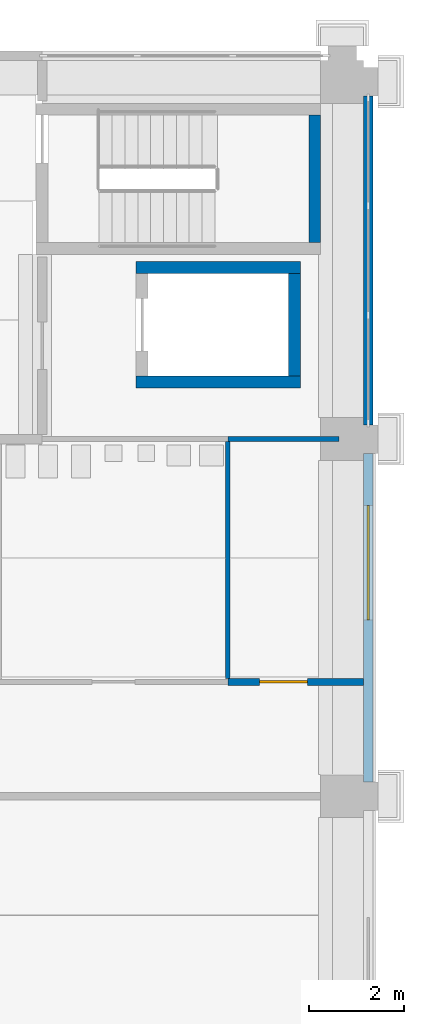
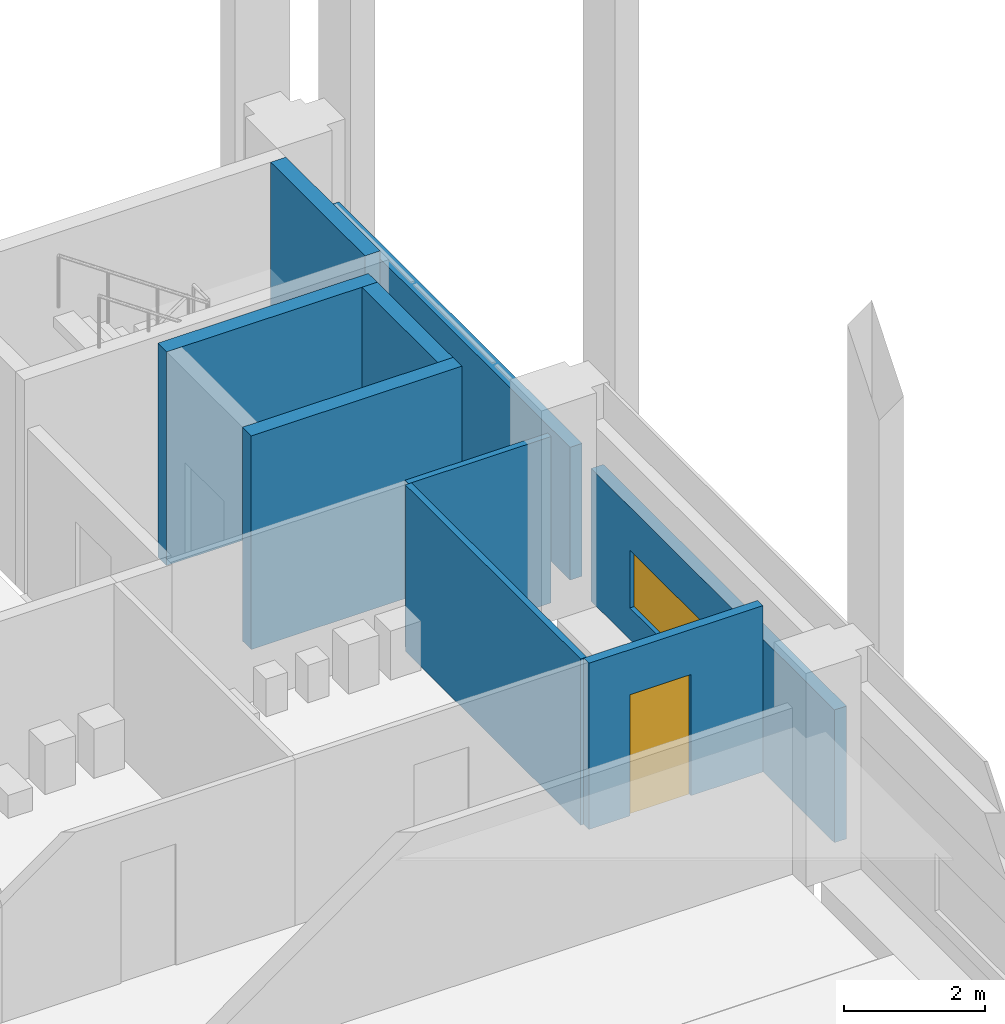
# One storey, part 41 of 67: 9 walls, 1 door, 1 window, 2 openings.
"""IFC4 building model written with IfcOpenShell, lengths in metres."""

from ifc_helpers import new_model, si_unit, direction, frame, frame_2d, origin, place, context, subcontext, project, spatial, rectangle, extrude, material, layer, layer_set, type_object, element, fill, save


model = new_model("IFC4")

# Units and contexts
model_context = context("Model", 3, precision=1e-05, world=origin(), true_north=direction((0.0, 1.0)))
body_context = subcontext(model_context, "Body", "Model", "MODEL_VIEW")
ifc_project = project(units=[si_unit("LENGTHUNIT", "METRE"), si_unit("AREAUNIT", "SQUARE_METRE"), si_unit("VOLUMEUNIT", "CUBIC_METRE"), si_unit("PLANEANGLEUNIT", "RADIAN"), si_unit("MASSUNIT", "GRAM", prefix="KILO")], contexts=[model_context])

# Site, building, storey
site_placement = place(None, origin())
site = spatial("IfcSite", under=ifc_project, at=site_placement, CompositionType="ELEMENT")
building_placement = place(site_placement, origin())
building = spatial("IfcBuilding", under=site, at=building_placement, Name="Cour d'Honneur Mobility Palace", CompositionType="ELEMENT")
storey_placement = place(building_placement, frame((0.0, 0.0, 4.5)))
storey = spatial("IfcBuildingStorey", under=building, at=storey_placement, Name="L01", CompositionType="ELEMENT", Elevation=4.5)

# Walls
ifc_material_1 = material(Name="Concrete C50", Category="concrete")
ifc_layer_1 = layer(ifc_material_1, 0.25)
ifc_layer_set_1 = layer_set([ifc_layer_1], Name="Concrete C50")
wall_type_1 = type_object("IfcWallType", Name="Lift shaft wall 250", PredefinedType="SHEAR", material=ifc_layer_set_1)
for number, where, z_axis, x_axis, name in (
    (1, (157.97509765625, 108.60009765625, 0.0), (0.0, 0.0, 1.0), (1.0, 0.0, 0.0), "Lift shaft wall WL-NE1 L01"),
    (2, (157.97509765625, 111.0, 0.0), (0.0, 0.0, 1.0), (1.0, 0.0, 0.0), "Lift shaft wall WL-NE2 L01"),
):
    element("IfcWall", number, at=place(storey_placement, frame(where, z_axis=z_axis, x_axis=x_axis)), inside=storey, type_object=wall_type_1, Name=name, PredefinedType="SHEAR", context=body_context, shape_type="SweptSolid", body=[
        extrude(rectangle(XDim=3.449951171875, YDim=0.25, at=frame_2d((1.72509765625, 0.0))), origin(), (0.0, 0.0, 1.0), 3.699951171875),
    ])
wall_1_placement = place(storey_placement, frame((161.300048828125, 108.72509765625, 0.0), z_axis=(0.0, 0.0, 1.0), x_axis=(0.0, 1.0, 0.0)))
element("IfcWall", 3, at=wall_1_placement, inside=storey, type_object=wall_type_1, Name="Lift shaft wall WL-NE7 L01", PredefinedType="SHEAR", context=body_context, shape_type="SweptSolid", body=[
    extrude(rectangle(XDim=2.14990234375, YDim=0.25, at=frame_2d((1.074951171875, 0.0))), origin(), (0.0, 0.0, 1.0), 3.699951171875),
])
ifc_material_2 = material(Name="Gypsum plasterboard")
ifc_layer_2 = layer(ifc_material_2, 0.10009765625)
ifc_layer_set_2 = layer_set([ifc_layer_2], Name="Gypsum plasterboard")
wall_type_2 = type_object("IfcWallType", Name="Partition 100", PredefinedType="PARTITIONING", material=ifc_layer_set_2)
wall_2_placement = place(storey_placement, frame((159.89990234375, 107.35009765625, 0.0), z_axis=(0.0, 0.0, 1.0), x_axis=(0.0, -1.0, 0.0)))
element("IfcWall", 4, at=wall_2_placement, inside=storey, type_object=wall_type_2, Name="Partition 082", PredefinedType="PARTITIONING", context=body_context, shape_type="SweptSolid", body=[
    extrude(rectangle(XDim=4.97509765625, YDim=0.10009765625, at=frame_2d((2.487548828125, 0.0))), origin(), (0.0, 0.0, 1.0), 2.8798828125),
])
wall_3_placement = place(storey_placement, frame((162.239990234375, 107.39990234375, 0.0), z_axis=(0.0, 0.0, 1.0), x_axis=(-1.0, 0.0, 0.0)))
element("IfcWall", 5, at=wall_3_placement, inside=storey, type_object=wall_type_2, Name="Partition 084", PredefinedType="PARTITIONING", context=body_context, shape_type="SweptSolid", body=[
    extrude(rectangle(XDim=2.340087890625, YDim=0.10009765625, at=frame_2d((1.169921875, 0.0))), origin(), (0.0, 0.0, 1.0), 2.8798828125),
])

# Wall, opening, door
ifc_material_3 = material(Name="Gypsum plasterboard")
ifc_layer_3 = layer(ifc_material_3, 0.14990234375)
ifc_layer_set_3 = layer_set([ifc_layer_3], Name="Gypsum plasterboard")
wall_type_3 = type_object("IfcWallType", Name="Partition 150 rated EI 60", PredefinedType="PARTITIONING", material=ifc_layer_set_3)
wall_4_placement = place(storey_placement, frame((162.75, 102.300048828125, 0.0), z_axis=(0.0, 0.0, 1.0), x_axis=(-1.0, 0.0, 0.0)))
wall_4 = element("IfcWall", 6, at=wall_4_placement, inside=storey, type_object=wall_type_3, Name="Partition 066", PredefinedType="PARTITIONING", context=body_context, shape_type="SweptSolid", body=[
    extrude(rectangle(XDim=2.85009765625, YDim=0.14990234375, at=frame_2d((1.425048828125, 0.0))), origin(), (0.0, 0.0, 1.0), 2.8798828125),
])
opening_1_placement = place(wall_4_placement, frame((1.179931640625, 0.0, 0.0)))
opening_1 = element("IfcOpeningElement", 7, at=opening_1_placement, cuts=wall_4, Name="Opening D0124", PredefinedType="OPENING", context=body_context, shape_type="SweptSolid", body=[
    extrude(rectangle(XDim=1.0, YDim=2.10009765625, at=frame_2d((0.5, 1.050048828125))), frame((0.0, 0.0849609375, 0.0), z_axis=(0.0, -1.0, 0.0), x_axis=(1.0, 0.0, 0.0)), (0.0, 0.0, 1.0), 0.169921875),
])
ifc_material_4 = material(Name="Galvanised steel", Category="steel")
door_type = type_object("IfcDoorType", Name="Fire door FD60 1000 x 2100", OperationType="SINGLE_SWING_LEFT", PredefinedType="DOOR", material=ifc_material_4)
door_placement = place(opening_1_placement, origin())
door = element("IfcDoor", 8, at=door_placement, inside=storey, type_object=door_type, Name="Door Cleaner's Store East", OperationType="SINGLE_SWING_RIGHT", OverallHeight=2.10009765625, OverallWidth=1.0, PredefinedType="DOOR", context=body_context, shape_type="SweptSolid", body=[
    extrude(rectangle(XDim=1.0, YDim=2.10009765625, at=frame_2d((0.5, 1.050048828125))), frame((0.0, 0.02490234375, 0.0), z_axis=(0.0, -1.0, 0.0), x_axis=(1.0, 0.0, 0.0)), (0.0, 0.0, 1.0), 0.050048828125),
])
fill(opening_1, door)

# Wall, opening, window
ifc_material_5 = material(Name="Concrete C40", Category="concrete")
ifc_layer_4 = layer(ifc_material_5, 0.199951171875)
ifc_layer_set_4 = layer_set([ifc_layer_4], Name="Concrete C40")
wall_type_4 = type_object("IfcWallType", Name="Spandrel panel", PredefinedType="SOLIDWALL", material=ifc_layer_set_4)
wall_5_placement = place(storey_placement, frame((162.85009765625, 100.199951171875, 0.0), z_axis=(0.0, 0.0, 1.0), x_axis=(0.0, 1.0, 0.0)))
wall_5 = element("IfcWall", 9, at=wall_5_placement, inside=storey, type_object=wall_type_4, Name="Spandrel panel SW-38", PredefinedType="SOLIDWALL", context=body_context, shape_type="SweptSolid", body=[
    extrude(rectangle(XDim=6.900146484375, YDim=0.199951171875, at=frame_2d((3.4501953125, 0.0))), origin(), (0.0, 0.0, 1.0), 2.300048828125),
])
opening_2_placement = place(wall_5_placement, frame((3.39990234375, 0.0, 0.550048828125)))
opening_2 = element("IfcOpeningElement", 10, at=opening_2_placement, cuts=wall_5, Name="Opening W2-38", PredefinedType="OPENING", context=body_context, shape_type="SweptSolid", body=[
    extrude(rectangle(XDim=2.39990234375, YDim=1.0, at=frame_2d((1.199951171875, 0.5))), frame((0.0, 0.10986328125, 0.0), z_axis=(0.0, -1.0, 0.0), x_axis=(1.0, 0.0, 0.0)), (0.0, 0.0, 1.0), 0.219970703125),
])
ifc_material_6 = material(Name="Aluminium frame and glass", Category="aluminium")
window_type = type_object("IfcWindowType", Name="Gallery window W2", PartitioningType="TRIPLE_PANEL_VERTICAL", PredefinedType="WINDOW", material=ifc_material_6)
window_placement = place(opening_2_placement, origin())
window = element("IfcWindow", 11, at=window_placement, inside=storey, type_object=window_type, Name="Gallery window W2 W2-38", OverallHeight=1.0, OverallWidth=2.39990234375, PartitioningType="SINGLE_PANEL", PredefinedType="WINDOW", context=body_context, shape_type="SweptSolid", body=[
    extrude(rectangle(XDim=2.39990234375, YDim=1.0, at=frame_2d((1.199951171875, 0.5))), frame((0.0, 0.030029296875, 0.0), z_axis=(0.0, -1.0, 0.0), x_axis=(1.0, 0.0, 0.0)), (0.0, 0.0, 1.0), 0.06005859375),
])
fill(opening_2, window)

# Walls
wall_6_placement = place(storey_placement, frame((162.85009765625, 107.699951171875, 0.0), z_axis=(0.0, 0.0, 1.0), x_axis=(0.0, 1.0, 0.0)))
element("IfcWall", 12, at=wall_6_placement, inside=storey, type_object=wall_type_4, Name="Spandrel panel SW-39", PredefinedType="SOLIDWALL", context=body_context, shape_type="SweptSolid", body=[
    extrude(rectangle(XDim=6.900146484375, YDim=0.199951171875, at=frame_2d((3.4501953125, 0.0))), origin(), (0.0, 0.0, 1.0), 2.300048828125),
])
ifc_material_7 = material(Name="Concrete C50", Category="concrete")
ifc_layer_5 = layer(ifc_material_7, 0.25)
ifc_layer_set_5 = layer_set([ifc_layer_5], Name="Concrete C50")
wall_type_5 = type_object("IfcWallType", Name="Stair wall 250", PredefinedType="SHEAR", material=ifc_layer_set_5)
wall_7_placement = place(storey_placement, frame((161.72509765625, 111.52490234375, 0.0), z_axis=(0.0, 0.0, 1.0), x_axis=(0.0, 1.0, 0.0)))
element("IfcWall", 13, at=wall_7_placement, inside=storey, type_object=wall_type_5, Name="Stair wall WS-NE8 L01", PredefinedType="SHEAR", context=body_context, shape_type="SweptSolid", body=[
    extrude(rectangle(XDim=2.675048828125, YDim=0.25, at=frame_2d((1.33740234375, 0.0))), origin(), (0.0, 0.0, 1.0), 3.699951171875),
])

save(model, "model.ifc")
